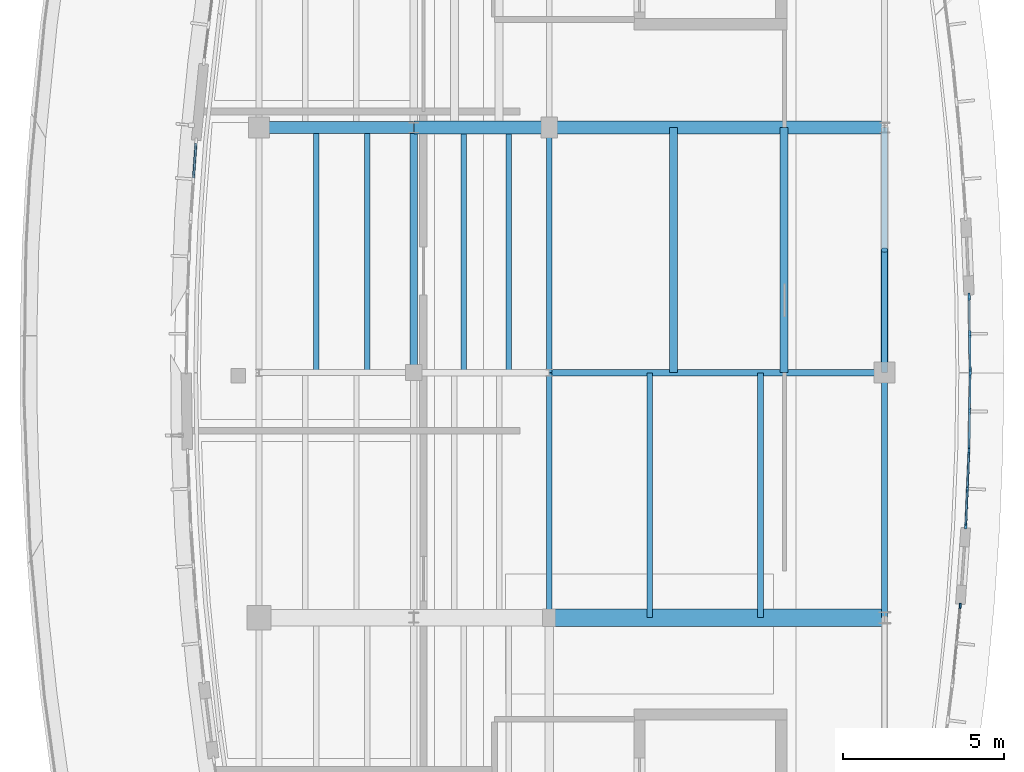
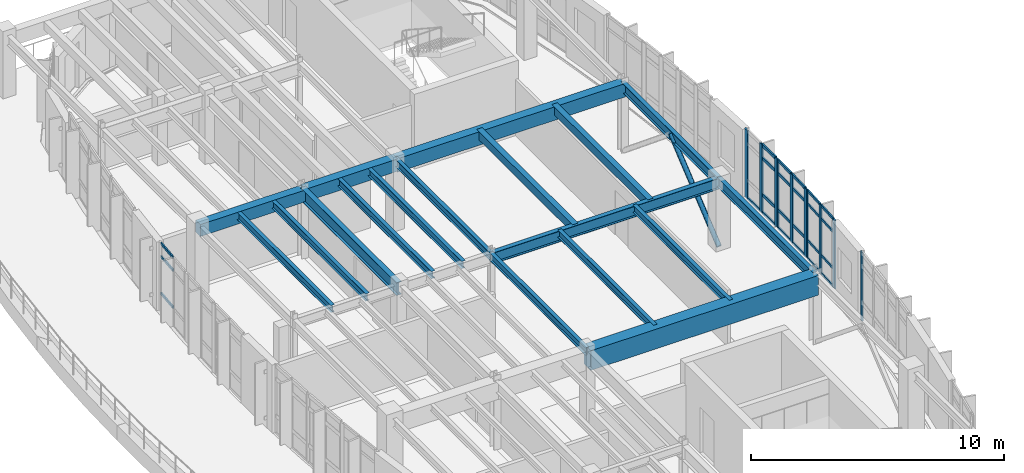
# One storey, part 8 of 20: 35 members, 18 beams, 5 elements without a shape of their own.
"""IFC4 building model written with IfcOpenShell, lengths in metres."""

import ifcopenshell
import ifcopenshell.guid

model = None  # the IFC model being written
_history = None  # IfcOwnerHistory: only IFC2X3 demands one
_inside = {}  # id of a spatial element -> (the spatial element, [elements in it])
_under = {}  # id of a project, library or spatial element -> (it, [spatial elements below it])
_declared = {}  # id of a project -> (the project, [libraries it declares])
_typed = {}  # id of a type object -> (the type object, [elements of that type])
_made_of = {}  # id of a material, layer set ... -> (it, [elements and type objects made of it])


def new_model(schema):
    """Start an empty IFC model of exactly this schema.

    Asked for "IFC4X3", IfcOpenShell would pick the latest addendum, in which some entities
    have other attributes; the version numbers below select the first issue.
    IFC2X3 requires an IfcOwnerHistory on every rooted entity: one is made here for all.
    """
    global model, _history
    if schema == "IFC4X3":
        model = ifcopenshell.file(schema_version=(4, 3, 0, 0))
    else:
        model = ifcopenshell.file(schema=schema)
    _inside.clear()
    _under.clear()
    _declared.clear()
    _typed.clear()
    _made_of.clear()
    _history = None
    if model.schema == "IFC2X3":
        org = make("IfcOrganization", Name="unknown")
        user = make(
            "IfcPersonAndOrganization",
            ThePerson=make("IfcPerson", FamilyName="unknown"),
            TheOrganization=org,
        )
        app = make(
            "IfcApplication",
            ApplicationDeveloper=org,
            Version="unknown",
            ApplicationFullName="unknown",
            ApplicationIdentifier="unknown",
        )
        _history = make(
            "IfcOwnerHistory",
            OwningUser=user,
            OwningApplication=app,
            ChangeAction="ADDED",
            CreationDate=0,
        )
    return model


def make(cls, **values):
    """One entity of the class cls with the attributes given. An attribute that is None is left unset."""
    return model.create_entity(
        cls, **{name: value for name, value in values.items() if value is not None}
    )


def rooted(cls, **values):
    """An entity with a GlobalId (a new one), such as an element, a storey or a relation."""
    return make(cls, GlobalId=ifcopenshell.guid.new(), OwnerHistory=_history, **values)


def si_unit(unit_type, name, prefix=None):
    """IfcSIUnit, for example si_unit("LENGTHUNIT", "METRE", prefix="MILLI")."""
    return make("IfcSIUnit", UnitType=unit_type, Prefix=prefix, Name=name)


def assignment(units):
    """IfcUnitAssignment: the units of a project."""
    return None if units is None else make("IfcUnitAssignment", Units=units)


def point(xyz):
    """IfcCartesianPoint."""
    return None if xyz is None else make("IfcCartesianPoint", Coordinates=xyz)


def direction(xyz):
    """IfcDirection."""
    return None if xyz is None else make("IfcDirection", DirectionRatios=xyz)


def frame(location, z_axis=None, x_axis=None):
    """IfcAxis2Placement3D, a coordinate frame: its origin and axes. An axis left out is left unset."""
    return make(
        "IfcAxis2Placement3D",
        Location=point(location),
        Axis=direction(z_axis),
        RefDirection=direction(x_axis),
    )


def frame_2d(location, x_axis=None):
    """IfcAxis2Placement2D, a coordinate frame in the plane: its origin and x axis."""
    return make(
        "IfcAxis2Placement2D", Location=point(location), RefDirection=direction(x_axis)
    )


def origin():
    """The frame at (0, 0, 0) with its axes left unset."""
    return frame((0.0, 0.0, 0.0))


def origin_2d():
    """The frame at (0, 0) in the plane with its x axis left unset."""
    return frame_2d((0.0, 0.0))


def place(relative_to, where):
    """IfcLocalPlacement: puts the frame where relative to a parent placement (None: the world)."""
    return make(
        "IfcLocalPlacement", PlacementRelTo=relative_to, RelativePlacement=where
    )


def context(
    kind, dimensions, precision=None, world=None, true_north=None, identifier=None
):
    """IfcGeometricRepresentationContext, for example the 3D "Model" context."""
    return make(
        "IfcGeometricRepresentationContext",
        ContextIdentifier=identifier,
        ContextType=kind,
        CoordinateSpaceDimension=dimensions,
        Precision=precision,
        WorldCoordinateSystem=world,
        TrueNorth=true_north,
    )


def subcontext(parent, identifier, kind, view, scale=None):
    """IfcGeometricRepresentationSubContext, for example "Body" below "Model"."""
    return make(
        "IfcGeometricRepresentationSubContext",
        ContextIdentifier=identifier,
        ContextType=kind,
        ParentContext=parent,
        TargetScale=scale,
        TargetView=view,
    )


def project(units=None, contexts=None):
    """IfcProject with its units and contexts."""
    return rooted(
        "IfcProject",
        Name="project",
        RepresentationContexts=contexts,
        UnitsInContext=assignment(units),
    )


def spatial(cls, under=None, at=None, **own):
    """A site, building, storey or space (cls), placed at a placement, below another one or the project."""
    s = rooted(cls, ObjectPlacement=at, **own)
    if under is not None:
        _under.setdefault(under.id(), (under, []))[1].append(s)
    return s


def profile(cls, at=None, kind="AREA", **sizes):
    """A parametric profile (cls). Its sizes go by their IFC names, for example OverallWidth=200.0."""
    return make(cls, ProfileType=kind, Position=at, **sizes)


def rectangle(**sizes):
    """IfcRectangleProfileDef."""
    return profile("IfcRectangleProfileDef", **sizes)


def hollow_circle(**sizes):
    """IfcCircleHollowProfileDef."""
    return profile("IfcCircleHollowProfileDef", **sizes)


def i_section(**sizes):
    """IfcIShapeProfileDef."""
    return profile("IfcIShapeProfileDef", **sizes)


def extrude(swept, where, along, depth):
    """IfcExtrudedAreaSolid: the profile swept, set in the frame where, extruded along a direction by depth."""
    return make(
        "IfcExtrudedAreaSolid",
        SweptArea=swept,
        Position=where,
        ExtrudedDirection=direction(along),
        Depth=depth,
    )


def shape(context_of_items, identifier, shape_type, items):
    """IfcShapeRepresentation: the items that make up one representation, for example the "Body"."""
    return make(
        "IfcShapeRepresentation",
        ContextOfItems=context_of_items,
        RepresentationIdentifier=identifier,
        RepresentationType=shape_type,
        Items=items,
    )


def material(Name=None, Category=None):
    """IfcMaterial."""
    return make("IfcMaterial", Name=Name, Category=Category)


def material_profile(
    of_material, cross_section, Name=None, Category=None, Priority=None
):
    """IfcMaterialProfile: a cross section and its material."""
    return make(
        "IfcMaterialProfile",
        Name=Name,
        Material=of_material,
        Profile=cross_section,
        Priority=Priority,
        Category=Category,
    )


def profile_set(profiles, Name=None, composite=None):
    """IfcMaterialProfileSet."""
    return make(
        "IfcMaterialProfileSet",
        Name=Name,
        MaterialProfiles=profiles,
        CompositeProfile=composite,
    )


def made_of(thing, what):
    """Note that an element or type object is made of a material, layer set ...; save() writes the relation."""
    if what is not None:
        _made_of.setdefault(what.id(), (what, []))[1].append(thing)
    return thing


def type_object(cls, material=None, **own):
    """A type object (cls), such as IfcWallType, which elements share."""
    return made_of(rooted(cls, **own), material)


def element(
    cls,
    number,
    at=None,
    inside=None,
    cuts=None,
    type_object=None,
    material=None,
    context=None,
    identifier="Body",
    shape_type=None,
    held_by="IfcProductDefinitionShape",
    body=None,
    shapes=None,
    **own,
):
    """One element of the class cls, such as IfcWall. Its Tag is "e" and its number.

    at: its placement. inside: the storey or other place that contains it. cuts: it is an
    opening in that element (IfcRelVoidsElement). A single representation is given by context,
    identifier, shape_type and body (its items); several are given by shapes. held_by: the class
    of the entity that holds the representations. save() writes the other relations.
    """
    e = rooted(cls, Tag="e%d" % number, ObjectPlacement=at, **own)
    if body is not None:
        shapes = [shape(context, identifier, shape_type, body)]
    if shapes is not None:
        e.Representation = make(held_by, Representations=shapes)
    if inside is not None:
        _inside.setdefault(inside.id(), (inside, []))[1].append(e)
    if cuts is not None:
        rooted(
            "IfcRelVoidsElement", RelatingBuildingElement=cuts, RelatedOpeningElement=e
        )
    if type_object is not None:
        _typed.setdefault(type_object.id(), (type_object, []))[1].append(e)
    return made_of(e, material)


def aggregate(whole, parts):
    """IfcRelAggregates: a whole, such as a stair, and the parts it consists of."""
    return rooted("IfcRelAggregates", RelatingObject=whole, RelatedObjects=parts)


def save(model, path):
    """Write the relations noted so far, then the file.

    IfcRelAggregates (storeys below a building ...), IfcRelContainedInSpatialStructure (elements
    in a storey), IfcRelDefinesByType, IfcRelAssociatesMaterial and IfcRelDeclares: one each for
    every whole, place, type object, material and project.
    """
    for whole, parts in _under.values():
        aggregate(whole, parts)
    for where, things in _inside.values():
        rooted(
            "IfcRelContainedInSpatialStructure",
            RelatedElements=things,
            RelatingStructure=where,
        )
    for kind, things in _typed.values():
        rooted("IfcRelDefinesByType", RelatedObjects=things, RelatingType=kind)
    for what, things in _made_of.values():
        rooted("IfcRelAssociatesMaterial", RelatedObjects=things, RelatingMaterial=what)
    for by, libraries in _declared.values():
        rooted("IfcRelDeclares", RelatingContext=by, RelatedDefinitions=libraries)
    model.write(path)


model = new_model("IFC4")

# Units and contexts
model_context = context("Model", 3, precision=1e-05, world=origin(), true_north=direction((0.0, 1.0)))
body_context = subcontext(model_context, "Body", "Model", "MODEL_VIEW")
ifc_project = project(units=[si_unit("LENGTHUNIT", "METRE"), si_unit("AREAUNIT", "SQUARE_METRE"), si_unit("VOLUMEUNIT", "CUBIC_METRE"), si_unit("PLANEANGLEUNIT", "RADIAN"), si_unit("MASSUNIT", "GRAM", prefix="KILO")], contexts=[model_context])

# Site, building, storey
site_placement = place(None, origin())
site = spatial("IfcSite", under=ifc_project, at=site_placement, CompositionType="ELEMENT")
building_placement = place(site_placement, origin())
building = spatial("IfcBuilding", under=site, at=building_placement, Name="Corveleigh Park Community Centre", CompositionType="ELEMENT")
storey_placement = place(building_placement, frame((0.0, 0.0, 16.199951171875)))
storey = spatial("IfcBuildingStorey", under=building, at=storey_placement, Name="L04", CompositionType="ELEMENT", Elevation=16.199951171875)

# Beams
ifc_material_1 = material(Name="Concrete C40/50", Category="concrete")
ifc_material_profile_1 = material_profile(ifc_material_1, rectangle(XDim=0.25, YDim=0.39990234375, at=origin_2d()), Name="RC-250x400", Category="concrete")
ifc_profile_set_1 = profile_set([ifc_material_profile_1], Name="Concrete C40/50")
beam_type_1 = type_object("IfcBeamType", Name="BM-RC-250x400", PredefinedType="JOIST", material=ifc_profile_set_1)
for number, where, z_axis, x_axis, name in (
    (1, (161.847900390625, 81.405029296875, 3.172119140625), (0.0, 1.0, 0.0), (-1.0, 0.0, 0.0), "Secondary floor joist"),
    (2, (165.280029296875, 81.405029296875, 3.172119140625), (0.0, 1.0, 0.0), (-1.0, 0.0, 0.0), "Secondary floor joist"),
):
    element("IfcBeam", number, at=place(storey_placement, frame(where, z_axis=z_axis, x_axis=x_axis)), inside=storey, type_object=beam_type_1, Name=name, PredefinedType="JOIST", context=body_context, shape_type="SweptSolid", body=[
        extrude(rectangle(XDim=0.25, YDim=0.39990234375, at=origin_2d()), origin(), (0.0, 0.0, 1.0), 7.590087890625),
    ])
ifc_material_profile_2 = material_profile(ifc_material_1, rectangle(XDim=0.375, YDim=0.574951171875, at=origin_2d()), Name="RC-375x575", Category="concrete")
ifc_profile_set_2 = profile_set([ifc_material_profile_2], Name="Concrete C40/50")
beam_type_2 = type_object("IfcBeamType", Name="BM-RC-375x575", PredefinedType="BEAM", material=ifc_profile_set_2)
beam_1_placement = place(storey_placement, frame((149.0048828125, 89.0, 3.049560546875), z_axis=(1.0, 0.0, 0.0), x_axis=(0.0, 1.0, 0.0)))
element("IfcBeam", 3, at=beam_1_placement, inside=storey, type_object=beam_type_2, Name="V4 Girder X", PredefinedType="BEAM", context=body_context, shape_type="SweptSolid", body=[
    extrude(rectangle(XDim=0.375, YDim=0.574951171875, at=origin_2d()), origin(), (0.0, 0.0, 1.0), 4.7900390625),
])
ifc_material_profile_3 = material_profile(ifc_material_1, rectangle(XDim=0.39990234375, YDim=0.60009765625, at=origin_2d()), Name="RC-400x600", Category="concrete")
ifc_profile_set_3 = profile_set([ifc_material_profile_3], Name="Concrete C40/50")
beam_type_3 = type_object("IfcBeamType", Name="BM-RC-400x600", PredefinedType="BEAM", material=ifc_profile_set_3)
beam_2_placement = place(storey_placement, frame((153.804931640625, 89.0, 3.072021484375), z_axis=(1.0, 0.0, 0.0), x_axis=(0.0, 1.0, 0.0)))
element("IfcBeam", 4, at=beam_2_placement, inside=storey, type_object=beam_type_3, Name="V4 Girder X", PredefinedType="BEAM", context=body_context, shape_type="SweptSolid", body=[
    extrude(rectangle(XDim=0.39990234375, YDim=0.60009765625, at=origin_2d()), origin(), (0.0, 0.0, 1.0), 4.190185546875),
])
ifc_material_profile_4 = material_profile(ifc_material_1, rectangle(XDim=0.39990234375, YDim=0.64990234375, at=origin_2d()), Name="RC-400x650", Category="concrete")
ifc_profile_set_4 = profile_set([ifc_material_profile_4], Name="Concrete C40/50")
beam_type_4 = type_object("IfcBeamType", Name="BM-RC-400x650", PredefinedType="BEAM", material=ifc_profile_set_4)
beam_3_placement = place(storey_placement, frame((158.0048828125, 89.0, 3.047119140625), z_axis=(1.0, 0.0, 0.0), x_axis=(0.0, 1.0, 0.0)))
element("IfcBeam", 5, at=beam_3_placement, inside=storey, type_object=beam_type_4, Name="V4 Girder X", PredefinedType="BEAM", context=body_context, shape_type="SweptSolid", body=[
    extrude(rectangle(XDim=0.39990234375, YDim=0.64990234375, at=origin_2d()), origin(), (0.0, 0.0, 1.0), 10.39013671875),
])
ifc_material_profile_5 = material_profile(ifc_material_1, rectangle(XDim=0.550048828125, YDim=0.949951171875, at=origin_2d()), Name="RC-550x950", Category="concrete")
ifc_profile_set_5 = profile_set([ifc_material_profile_5], Name="Concrete C40/50")
beam_type_5 = type_object("IfcBeamType", Name="BM-RC-550x950", PredefinedType="BEAM", material=ifc_profile_set_5)
beam_4_placement = place(storey_placement, frame((158.0048828125, 73.800048828125, 2.89697265625), z_axis=(1.0, 0.0, 0.0), x_axis=(0.0, 1.0, 0.0)))
element("IfcBeam", 6, at=beam_4_placement, inside=storey, type_object=beam_type_5, Name="V4 Girder X", PredefinedType="BEAM", context=body_context, shape_type="SweptSolid", body=[
    extrude(rectangle(XDim=0.550048828125, YDim=0.949951171875, at=origin_2d()), origin(), (0.0, 0.0, 1.0), 10.39013671875),
])
ifc_material_2 = material(Name="Steel S355", Category="steel")
ifc_material_profile_6 = material_profile(ifc_material_2, i_section(OverallWidth=0.171142578125, OverallDepth=0.351318359375, WebThickness=0.007080078125, FlangeThickness=0.009765625, at=origin_2d()), Name="UKB 356x171x45", Category="steel")
ifc_profile_set_6 = profile_set([ifc_material_profile_6], Name="Steel S355")
beam_type_6 = type_object("IfcBeamType", Name="BM-STL-UKB356x45", PredefinedType="JOIST", material=ifc_profile_set_6)
for number, where, z_axis, x_axis, name in (
    (7, (150.77587890625, 81.405029296875, 3.161376953125), (0.0, 1.0, 0.0), (-1.0, 0.0, 0.0), "Secondary floor joist"),
    (8, (152.360107421875, 81.405029296875, 3.161376953125), (0.0, 1.0, 0.0), (-1.0, 0.0, 0.0), "Secondary floor joist"),
):
    element("IfcBeam", number, at=place(storey_placement, frame(where, z_axis=z_axis, x_axis=x_axis)), inside=storey, type_object=beam_type_6, Name=name, PredefinedType="JOIST", context=body_context, shape_type="SweptSolid", body=[
        extrude(i_section(OverallWidth=0.171142578125, OverallDepth=0.351318359375, WebThickness=0.007080078125, FlangeThickness=0.009765625, at=origin_2d()), origin(), (0.0, 0.0, 1.0), 7.590087890625),
    ])
ifc_material_profile_7 = material_profile(ifc_material_2, i_section(OverallWidth=0.17138671875, OverallDepth=0.35498046875, WebThickness=0.00732421875, FlangeThickness=0.011474609375, at=origin_2d()), Name="UKB 356x171x51", Category="steel")
ifc_profile_set_7 = profile_set([ifc_material_profile_7], Name="Steel S355")
beam_type_7 = type_object("IfcBeamType", Name="BM-STL-UKB356x51", PredefinedType="JOIST", material=ifc_profile_set_7)
for number, where, z_axis, x_axis, name in (
    (9, (155.35400390625, 81.405029296875, 3.194580078125), (0.0, 1.0, 0.0), (-1.0, 0.0, 0.0), "Secondary floor joist"),
    (10, (156.739990234375, 81.405029296875, 3.194580078125), (0.0, 1.0, 0.0), (-1.0, 0.0, 0.0), "Secondary floor joist"),
    (11, (161.1201171875, 73.804931640625, 3.194580078125), (0.0, 1.0, 0.0), (-1.0, 0.0, 0.0), "Secondary floor joist"),
    (12, (164.552001953125, 73.804931640625, 3.194580078125), (0.0, 1.0, 0.0), (-1.0, 0.0, 0.0), "Secondary floor joist"),
):
    element("IfcBeam", number, at=place(storey_placement, frame(where, z_axis=z_axis, x_axis=x_axis)), inside=storey, type_object=beam_type_7, Name=name, PredefinedType="JOIST", context=body_context, shape_type="SweptSolid", body=[
        extrude(i_section(OverallWidth=0.17138671875, OverallDepth=0.35498046875, WebThickness=0.00732421875, FlangeThickness=0.011474609375, at=origin_2d()), origin(), (0.0, 0.0, 1.0), 7.590087890625),
    ])
ifc_material_profile_8 = material_profile(ifc_material_2, i_section(OverallWidth=0.172119140625, OverallDepth=0.35791015625, WebThickness=0.008056640625, FlangeThickness=0.012939453125, at=origin_2d()), Name="UKB 356x171x57", Category="steel")
ifc_profile_set_8 = profile_set([ifc_material_profile_8], Name="Steel S355")
beam_type_8 = type_object("IfcBeamType", Name="BM-STL-UKB356x57", PredefinedType="BEAM", material=ifc_profile_set_8)
beam_5_placement = place(storey_placement, frame((158.0, 73.804931640625, 3.193115234375), z_axis=(0.0, 1.0, 0.0), x_axis=(-1.0, 0.0, 0.0)))
element("IfcBeam", 13, at=beam_5_placement, inside=storey, type_object=beam_type_8, Name="V4 Girder Y", PredefinedType="BEAM", context=body_context, shape_type="SweptSolid", body=[
    extrude(i_section(OverallWidth=0.172119140625, OverallDepth=0.35791015625, WebThickness=0.008056640625, FlangeThickness=0.012939453125, at=origin_2d()), origin(), (0.0, 0.0, 1.0), 7.590087890625),
])
ifc_material_profile_9 = material_profile(ifc_material_2, i_section(OverallWidth=0.173095703125, OverallDepth=0.36328125, WebThickness=0.009033203125, FlangeThickness=0.015625, at=origin_2d()), Name="UKB 356x171x67", Category="steel")
ifc_profile_set_9 = profile_set([ifc_material_profile_9], Name="Steel S355")
beam_type_9 = type_object("IfcBeamType", Name="BM-STL-UKB356x67", PredefinedType="BEAM", material=ifc_profile_set_9)
beam_6_placement = place(storey_placement, frame((158.0, 81.405029296875, 3.1904296875), z_axis=(0.0, 1.0, 0.0), x_axis=(-1.0, 0.0, 0.0)))
element("IfcBeam", 14, at=beam_6_placement, inside=storey, type_object=beam_type_9, Name="V4 Girder Y", PredefinedType="BEAM", context=body_context, shape_type="SweptSolid", body=[
    extrude(i_section(OverallWidth=0.173095703125, OverallDepth=0.36328125, WebThickness=0.009033203125, FlangeThickness=0.015625, at=origin_2d()), origin(), (0.0, 0.0, 1.0), 7.590087890625),
])
ifc_material_profile_10 = material_profile(ifc_material_2, i_section(OverallWidth=0.1904296875, OverallDepth=0.45703125, WebThickness=0.009033203125, FlangeThickness=0.014404296875, at=origin_2d()), Name="UKB 457x191x74", Category="steel")
ifc_profile_set_10 = profile_set([ifc_material_profile_10], Name="Steel S355")
beam_type_10 = type_object("IfcBeamType", Name="BM-STL-UKB457x74", PredefinedType="BEAM", material=ifc_profile_set_10)
beam_7_placement = place(storey_placement, frame((168.39990234375, 73.804931640625, 3.1435546875), z_axis=(0.0, 1.0, 0.0), x_axis=(-1.0, 0.0, 0.0)))
element("IfcBeam", 15, at=beam_7_placement, inside=storey, type_object=beam_type_10, Name="V4 Girder Y", PredefinedType="BEAM", context=body_context, shape_type="SweptSolid", body=[
    extrude(i_section(OverallWidth=0.1904296875, OverallDepth=0.45703125, WebThickness=0.009033203125, FlangeThickness=0.014404296875, at=origin_2d()), origin(), (0.0, 0.0, 1.0), 7.590087890625),
])
ifc_material_profile_11 = material_profile(ifc_material_2, i_section(OverallWidth=0.19140625, OverallDepth=0.4599609375, WebThickness=0.010009765625, FlangeThickness=0.01611328125, at=origin_2d()), Name="UKB 457x191x82", Category="steel")
ifc_profile_set_11 = profile_set([ifc_material_profile_11], Name="Steel S355")
beam_type_11 = type_object("IfcBeamType", Name="BM-STL-UKB457x82", PredefinedType="BEAM", material=ifc_profile_set_11)
beam_8_placement = place(storey_placement, frame((168.39990234375, 81.405029296875, 3.14208984375), z_axis=(0.0, 1.0, 0.0), x_axis=(-1.0, 0.0, 0.0)))
element("IfcBeam", 16, at=beam_8_placement, inside=storey, type_object=beam_type_11, Name="V4 Girder Y", PredefinedType="BEAM", context=body_context, shape_type="SweptSolid", body=[
    extrude(i_section(OverallWidth=0.19140625, OverallDepth=0.4599609375, WebThickness=0.010009765625, FlangeThickness=0.01611328125, at=origin_2d()), origin(), (0.0, 0.0, 1.0), 7.590087890625),
])
ifc_material_profile_12 = material_profile(ifc_material_2, i_section(OverallWidth=0.2099609375, OverallDepth=0.53662109375, WebThickness=0.0107421875, FlangeThickness=0.017333984375, at=origin_2d()), Name="UKB 533x210x101", Category="steel")
ifc_profile_set_12 = profile_set([ifc_material_profile_12], Name="Steel S355")
beam_type_12 = type_object("IfcBeamType", Name="BM-STL-UKB533x101", PredefinedType="BEAM", material=ifc_profile_set_12)
beam_9_placement = place(storey_placement, frame((158.0048828125, 81.39990234375, 3.103759765625), z_axis=(1.0, 0.0, 0.0), x_axis=(0.0, 1.0, 0.0)))
element("IfcBeam", 17, at=beam_9_placement, inside=storey, type_object=beam_type_12, Name="V4 Girder X", PredefinedType="BEAM", context=body_context, shape_type="SweptSolid", body=[
    extrude(i_section(OverallWidth=0.2099609375, OverallDepth=0.53662109375, WebThickness=0.0107421875, FlangeThickness=0.017333984375, at=origin_2d()), origin(), (0.0, 0.0, 1.0), 10.39013671875),
])
ifc_material_profile_13 = material_profile(ifc_material_2, i_section(OverallWidth=0.228271484375, OverallDepth=0.607666015625, WebThickness=0.010986328125, FlangeThickness=0.017333984375, at=origin_2d()), Name="UKB 610x229x113", Category="steel")
ifc_profile_set_13 = profile_set([ifc_material_profile_13], Name="Steel S355")
beam_type_13 = type_object("IfcBeamType", Name="BM-STL-UKB610x113", PredefinedType="BEAM", material=ifc_profile_set_13)
beam_10_placement = place(storey_placement, frame((153.800048828125, 81.405029296875, 3.068359375), z_axis=(0.0, 1.0, 0.0), x_axis=(-1.0, 0.0, 0.0)))
element("IfcBeam", 18, at=beam_10_placement, inside=storey, type_object=beam_type_13, Name="V4 Girder Y", PredefinedType="BEAM", context=body_context, shape_type="SweptSolid", body=[
    extrude(i_section(OverallWidth=0.228271484375, OverallDepth=0.607666015625, WebThickness=0.010986328125, FlangeThickness=0.017333984375, at=origin_2d()), origin(), (0.0, 0.0, 1.0), 7.590087890625),
])

# Curtain wall, member
ifc_material_3 = material(Name="Anodised aluminium 6063-T6", Category="aluminium")
curtain_wall_type = type_object("IfcCurtainWallType", Name="CW-SYS-V4-L03", PredefinedType="NOTDEFINED", material=ifc_material_3)
curtain_wall_1_placement = place(storey_placement, origin())
curtain_wall_1 = element("IfcCurtainWall", 19, at=curtain_wall_1_placement, inside=storey, type_object=curtain_wall_type, Name="V4 L04 Curtain Wall 445", PredefinedType="NOTDEFINED")
ifc_material_profile_14 = material_profile(ifc_material_3, rectangle(XDim=0.06005859375, YDim=0.159912109375, at=origin_2d()), Name="ALU-M60x160", Category="aluminium")
ifc_profile_set_14 = profile_set([ifc_material_profile_14], Name="Anodised aluminium 6063-T6")
member_type_1 = type_object("IfcMemberType", Name="CWM-60x160", PredefinedType="MULLION", material=ifc_profile_set_14)
member_1_placement = place(storey_placement, frame((170.744140625, 74.166259765625, 0.0), z_axis=(0.0, 0.0, 1.0), x_axis=(0.995169228615, -0.098174367416, 0.0)))
member_1 = element("IfcMember", 20, at=member_1_placement, type_object=member_type_1, Name="CW09 mullion 1", PredefinedType="MULLION", context=body_context, shape_type="SweptSolid", body=[
    extrude(rectangle(XDim=0.06005859375, YDim=0.159912109375, at=origin_2d()), origin(), (0.0, 0.0, 1.0), 3.31201171875),
])
aggregate(curtain_wall_1, [member_1])

# Curtain wall, members
curtain_wall_2_placement = place(storey_placement, origin())
curtain_wall_2 = element("IfcCurtainWall", 21, at=curtain_wall_2_placement, inside=storey, type_object=curtain_wall_type, Name="V4 L04 Curtain Wall 446", PredefinedType="NOTDEFINED")
ifc_material_profile_15 = material_profile(ifc_material_3, rectangle(XDim=0.06494140625, YDim=0.179931640625, at=origin_2d()), Name="ALU-M65x180", Category="aluminium")
ifc_profile_set_15 = profile_set([ifc_material_profile_15], Name="Anodised aluminium 6063-T6")
member_type_2 = type_object("IfcMemberType", Name="CWM-65x180", PredefinedType="MULLION", material=ifc_profile_set_15)
member_2_placement = place(storey_placement, frame((171.017578125, 78.95751953125, 0.0), z_axis=(0.0, 0.0, 1.0), x_axis=(0.99908366495, -0.042799888207, 0.0)))
member_2 = element("IfcMember", 22, at=member_2_placement, type_object=member_type_2, Name="CW09 mullion 1", PredefinedType="MULLION", context=body_context, shape_type="SweptSolid", body=[
    extrude(rectangle(XDim=0.06494140625, YDim=0.179931640625, at=origin_2d()), origin(), (0.0, 0.0, 1.0), 3.31201171875),
])
member_3_placement = place(storey_placement, frame((170.968017578125, 77.799560546875, 0.0), z_axis=(0.0, 0.0, 1.0), x_axis=(0.99908366495, -0.042799888207, 0.0)))
member_3 = element("IfcMember", 23, at=member_3_placement, type_object=member_type_2, Name="CW09 mullion 2", PredefinedType="MULLION", context=body_context, shape_type="SweptSolid", body=[
    extrude(rectangle(XDim=0.06494140625, YDim=0.179931640625, at=origin_2d()), origin(), (0.0, 0.0, 1.0), 3.31201171875),
])
member_4_placement = place(storey_placement, frame((170.91845703125, 76.641357421875, 0.0), z_axis=(0.0, 0.0, 1.0), x_axis=(0.99908366495, -0.042799888207, 0.0)))
member_4 = element("IfcMember", 24, at=member_4_placement, type_object=member_type_2, Name="CW09 mullion 3", PredefinedType="MULLION", context=body_context, shape_type="SweptSolid", body=[
    extrude(rectangle(XDim=0.06494140625, YDim=0.179931640625, at=origin_2d()), origin(), (0.0, 0.0, 1.0), 3.31201171875),
])

curtain_wall_3_placement = place(storey_placement, origin())
curtain_wall_3 = element("IfcCurtainWall", 25, at=curtain_wall_3_placement, inside=storey, type_object=curtain_wall_type, Name="V4 L04 Curtain Wall 447", PredefinedType="NOTDEFINED")
ifc_material_profile_16 = material_profile(ifc_material_3, rectangle(XDim=0.070068359375, YDim=0.199951171875, at=origin_2d()), Name="ALU-M70x200", Category="aluminium")
ifc_profile_set_16 = profile_set([ifc_material_profile_16], Name="Anodised aluminium 6063-T6")
member_type_3 = type_object("IfcMemberType", Name="CWM-70x200", PredefinedType="MULLION", material=ifc_profile_set_16)
member_5_placement = place(storey_placement, frame((171.052490234375, 81.35595703125, 0.0), z_axis=(0.0, 0.0, 1.0), x_axis=(0.999898231481, -0.01426627775, 0.0)))
member_5 = element("IfcMember", 26, at=member_5_placement, type_object=member_type_3, Name="CW09 mullion 1", PredefinedType="MULLION", context=body_context, shape_type="SweptSolid", body=[
    extrude(rectangle(XDim=0.070068359375, YDim=0.199951171875, at=origin_2d()), origin(), (0.0, 0.0, 1.0), 3.31201171875),
])
member_6_placement = place(storey_placement, frame((171.035888671875, 80.199462890625, 0.0), z_axis=(0.0, 0.0, 1.0), x_axis=(0.999898231481, -0.01426627775, 0.0)))
member_6 = element("IfcMember", 27, at=member_6_placement, type_object=member_type_3, Name="CW09 mullion 2", PredefinedType="MULLION", context=body_context, shape_type="SweptSolid", body=[
    extrude(rectangle(XDim=0.070068359375, YDim=0.199951171875, at=origin_2d()), origin(), (0.0, 0.0, 1.0), 3.31201171875),
])
member_7_placement = place(storey_placement, frame((171.01953125, 79.04296875, 0.0), z_axis=(0.0, 0.0, 1.0), x_axis=(0.999898231481, -0.01426627775, 0.0)))
member_7 = element("IfcMember", 28, at=member_7_placement, type_object=member_type_3, Name="CW09 mullion 3", PredefinedType="MULLION", context=body_context, shape_type="SweptSolid", body=[
    extrude(rectangle(XDim=0.070068359375, YDim=0.199951171875, at=origin_2d()), origin(), (0.0, 0.0, 1.0), 3.31201171875),
])

curtain_wall_4_placement = place(storey_placement, origin())
curtain_wall_4 = element("IfcCurtainWall", 29, at=curtain_wall_4_placement, inside=storey, type_object=curtain_wall_type, Name="V4 L04 Curtain Wall 448", PredefinedType="NOTDEFINED")
ifc_material_profile_17 = material_profile(ifc_material_3, rectangle(XDim=0.074951171875, YDim=0.219970703125, at=origin_2d()), Name="ALU-M75x220", Category="aluminium")
ifc_profile_set_17 = profile_set([ifc_material_profile_17], Name="Anodised aluminium 6063-T6")
member_type_4 = type_object("IfcMemberType", Name="CWM-75x220", PredefinedType="MULLION", material=ifc_profile_set_17)
member_8_placement = place(storey_placement, frame((171.01953125, 83.75439453125, 0.0), z_axis=(0.0, 0.0, 1.0), x_axis=(0.999898231481, 0.01426627775, 0.0)))
member_8 = element("IfcMember", 30, at=member_8_placement, type_object=member_type_4, Name="CW09 mullion 1", PredefinedType="MULLION", context=body_context, shape_type="SweptSolid", body=[
    extrude(rectangle(XDim=0.074951171875, YDim=0.219970703125, at=origin_2d()), origin(), (0.0, 0.0, 1.0), 3.31201171875),
])
member_9_placement = place(storey_placement, frame((171.035888671875, 82.6005859375, 0.0), z_axis=(0.0, 0.0, 1.0), x_axis=(0.999898231481, 0.01426627775, 0.0)))
member_9 = element("IfcMember", 31, at=member_9_placement, type_object=member_type_4, Name="CW09 mullion 2", PredefinedType="MULLION", context=body_context, shape_type="SweptSolid", body=[
    extrude(rectangle(XDim=0.074951171875, YDim=0.219970703125, at=origin_2d()), origin(), (0.0, 0.0, 1.0), 3.31201171875),
])
member_10_placement = place(storey_placement, frame((171.052490234375, 81.446533203125, 0.0), z_axis=(0.0, 0.0, 1.0), x_axis=(0.999898231481, 0.01426627775, 0.0)))
member_10 = element("IfcMember", 32, at=member_10_placement, type_object=member_type_4, Name="CW09 mullion 3", PredefinedType="MULLION", context=body_context, shape_type="SweptSolid", body=[
    extrude(rectangle(XDim=0.074951171875, YDim=0.219970703125, at=origin_2d()), origin(), (0.0, 0.0, 1.0), 3.31201171875),
])

# Member
ifc_material_profile_18 = material_profile(ifc_material_3, rectangle(XDim=0.06005859375, YDim=0.1201171875, at=origin_2d()), Name="ALU-T60x120", Category="aluminium")
ifc_profile_set_18 = profile_set([ifc_material_profile_18], Name="Anodised aluminium 6063-T6")
member_type_5 = type_object("IfcMemberType", Name="CWT-60x120", PredefinedType="USERDEFINED", material=ifc_profile_set_18)
member_11_placement = place(storey_placement, frame((171.01611328125, 78.925048828125, 0.030029296875), z_axis=(-0.042623725362, -0.999091196056, 0.0), x_axis=(0.999091196056, -0.042623725362, 0.0)))
member_11 = element("IfcMember", 33, at=member_11_placement, type_object=member_type_5, Name="CW09 transom 1.1", ObjectType="TRANSOM", PredefinedType="USERDEFINED", context=body_context, shape_type="SweptSolid", body=[
    extrude(rectangle(XDim=0.06005859375, YDim=0.1201171875, at=origin_2d()), origin(), (0.0, 0.0, 1.0), 1.093994140625),
])

member_12_placement = place(storey_placement, frame((171.01611328125, 78.925048828125, 0.900146484375), z_axis=(-0.042623725362, -0.999091196056, 0.0), x_axis=(0.999091196056, -0.042623725362, 0.0)))
member_12 = element("IfcMember", 34, at=member_12_placement, type_object=member_type_5, Name="CW09 transom 1.2", ObjectType="TRANSOM", PredefinedType="USERDEFINED", context=body_context, shape_type="SweptSolid", body=[
    extrude(rectangle(XDim=0.06005859375, YDim=0.1201171875, at=origin_2d()), origin(), (0.0, 0.0, 1.0), 1.093994140625),
])

member_13_placement = place(storey_placement, frame((171.01611328125, 78.925048828125, 2.662109375), z_axis=(-0.042623725362, -0.999091196056, 0.0), x_axis=(0.999091196056, -0.042623725362, 0.0)))
member_13 = element("IfcMember", 35, at=member_13_placement, type_object=member_type_5, Name="CW09 transom 1.3", ObjectType="TRANSOM", PredefinedType="USERDEFINED", context=body_context, shape_type="SweptSolid", body=[
    extrude(rectangle(XDim=0.06005859375, YDim=0.1201171875, at=origin_2d()), origin(), (0.0, 0.0, 1.0), 1.093994140625),
])

member_14_placement = place(storey_placement, frame((171.01611328125, 78.925048828125, 3.281982421875), z_axis=(-0.042623725362, -0.999091196056, 0.0), x_axis=(0.999091196056, -0.042623725362, 0.0)))
member_14 = element("IfcMember", 36, at=member_14_placement, type_object=member_type_5, Name="CW09 transom 1.4", ObjectType="TRANSOM", PredefinedType="USERDEFINED", context=body_context, shape_type="SweptSolid", body=[
    extrude(rectangle(XDim=0.06005859375, YDim=0.1201171875, at=origin_2d()), origin(), (0.0, 0.0, 1.0), 1.093994140625),
])

member_15_placement = place(storey_placement, frame((170.966552734375, 77.76708984375, 0.030029296875), z_axis=(-0.042836926952, -0.999082077554, 0.0), x_axis=(0.999082077554, -0.042836926952, 0.0)))
member_15 = element("IfcMember", 37, at=member_15_placement, type_object=member_type_5, Name="CW09 transom 2.1", ObjectType="TRANSOM", PredefinedType="USERDEFINED", context=body_context, shape_type="SweptSolid", body=[
    extrude(rectangle(XDim=0.06005859375, YDim=0.1201171875, at=origin_2d()), origin(), (0.0, 0.0, 1.0), 1.09423828125),
])

member_16_placement = place(storey_placement, frame((170.966552734375, 77.76708984375, 0.900146484375), z_axis=(-0.042836926952, -0.999082077554, 0.0), x_axis=(0.999082077554, -0.042836926952, 0.0)))
member_16 = element("IfcMember", 38, at=member_16_placement, type_object=member_type_5, Name="CW09 transom 2.2", ObjectType="TRANSOM", PredefinedType="USERDEFINED", context=body_context, shape_type="SweptSolid", body=[
    extrude(rectangle(XDim=0.06005859375, YDim=0.1201171875, at=origin_2d()), origin(), (0.0, 0.0, 1.0), 1.09423828125),
])

member_17_placement = place(storey_placement, frame((170.966552734375, 77.76708984375, 2.662109375), z_axis=(-0.042836926952, -0.999082077554, 0.0), x_axis=(0.999082077554, -0.042836926952, 0.0)))
member_17 = element("IfcMember", 39, at=member_17_placement, type_object=member_type_5, Name="CW09 transom 2.3", ObjectType="TRANSOM", PredefinedType="USERDEFINED", context=body_context, shape_type="SweptSolid", body=[
    extrude(rectangle(XDim=0.06005859375, YDim=0.1201171875, at=origin_2d()), origin(), (0.0, 0.0, 1.0), 1.09423828125),
])

member_18_placement = place(storey_placement, frame((170.966552734375, 77.76708984375, 3.281982421875), z_axis=(-0.042836926952, -0.999082077554, 0.0), x_axis=(0.999082077554, -0.042836926952, 0.0)))
member_18 = element("IfcMember", 40, at=member_18_placement, type_object=member_type_5, Name="CW09 transom 2.4", ObjectType="TRANSOM", PredefinedType="USERDEFINED", context=body_context, shape_type="SweptSolid", body=[
    extrude(rectangle(XDim=0.06005859375, YDim=0.1201171875, at=origin_2d()), origin(), (0.0, 0.0, 1.0), 1.09423828125),
])

aggregate(curtain_wall_2, [member_2, member_3, member_4, member_11, member_12, member_13, member_14, member_15, member_16, member_17, member_18])

# Curtain wall, members
curtain_wall_5_placement = place(storey_placement, origin())
curtain_wall_5 = element("IfcCurtainWall", 41, at=curtain_wall_5_placement, inside=storey, type_object=curtain_wall_type, Name="V4 L04 Curtain Wall 461", PredefinedType="NOTDEFINED")
member_19_placement = place(storey_placement, frame((146.97021484375, 87.4375, 0.900146484375), z_axis=(0.070194258391, 0.997533340841, 0.0), x_axis=(-0.997533340841, 0.070194258391, 0.0)))
member_19 = element("IfcMember", 42, at=member_19_placement, type_object=member_type_5, Name="CW09 transom 2.2", ObjectType="TRANSOM", PredefinedType="USERDEFINED", context=body_context, shape_type="SweptSolid", body=[
    extrude(rectangle(XDim=0.06005859375, YDim=0.1201171875, at=origin_2d()), origin(), (0.0, 0.0, 1.0), 1.0712890625),
])
member_20_placement = place(storey_placement, frame((146.97021484375, 87.4375, 2.68701171875), z_axis=(0.070194258391, 0.997533340841, 0.0), x_axis=(-0.997533340841, 0.070194258391, 0.0)))
member_20 = element("IfcMember", 43, at=member_20_placement, type_object=member_type_5, Name="CW09 transom 2.3", ObjectType="TRANSOM", PredefinedType="USERDEFINED", context=body_context, shape_type="SweptSolid", body=[
    extrude(rectangle(XDim=0.06005859375, YDim=0.1201171875, at=origin_2d()), origin(), (0.0, 0.0, 1.0), 1.0712890625),
])
member_21_placement = place(storey_placement, frame((146.97021484375, 87.4375, 3.30712890625), z_axis=(0.070194258391, 0.997533340841, 0.0), x_axis=(-0.997533340841, 0.070194258391, 0.0)))
member_21 = element("IfcMember", 44, at=member_21_placement, type_object=member_type_5, Name="CW09 transom 2.4", ObjectType="TRANSOM", PredefinedType="USERDEFINED", context=body_context, shape_type="SweptSolid", body=[
    extrude(rectangle(XDim=0.06005859375, YDim=0.1201171875, at=origin_2d()), origin(), (0.0, 0.0, 1.0), 1.0712890625),
])
aggregate(curtain_wall_5, [member_19, member_20, member_21])

# Member
ifc_material_profile_19 = material_profile(ifc_material_3, rectangle(XDim=0.06494140625, YDim=0.139892578125, at=origin_2d()), Name="ALU-T65x140", Category="aluminium")
ifc_profile_set_19 = profile_set([ifc_material_profile_19], Name="Anodised aluminium 6063-T6")
member_type_6 = type_object("IfcMemberType", Name="CWT-65x140", PredefinedType="USERDEFINED", material=ifc_profile_set_19)
member_22_placement = place(storey_placement, frame((171.052001953125, 81.321044921875, 0.032470703125), z_axis=(-0.014152705069, -0.999899845454, 0.0), x_axis=(0.999899845454, -0.014152705069, 0.0)))
member_22 = element("IfcMember", 45, at=member_22_placement, type_object=member_type_6, Name="CW09 transom 1.1", ObjectType="TRANSOM", PredefinedType="USERDEFINED", context=body_context, shape_type="SweptSolid", body=[
    extrude(rectangle(XDim=0.06494140625, YDim=0.139892578125, at=origin_2d()), origin(), (0.0, 0.0, 1.0), 1.086669921875),
])

member_23_placement = place(storey_placement, frame((171.052001953125, 81.321044921875, 0.900146484375), z_axis=(-0.014152705069, -0.999899845454, 0.0), x_axis=(0.999899845454, -0.014152705069, 0.0)))
member_23 = element("IfcMember", 46, at=member_23_placement, type_object=member_type_6, Name="CW09 transom 1.2", ObjectType="TRANSOM", PredefinedType="USERDEFINED", context=body_context, shape_type="SweptSolid", body=[
    extrude(rectangle(XDim=0.06494140625, YDim=0.139892578125, at=origin_2d()), origin(), (0.0, 0.0, 1.0), 1.086669921875),
])

member_24_placement = place(storey_placement, frame((171.052001953125, 81.321044921875, 2.662109375), z_axis=(-0.014152705069, -0.999899845454, 0.0), x_axis=(0.999899845454, -0.014152705069, 0.0)))
member_24 = element("IfcMember", 47, at=member_24_placement, type_object=member_type_6, Name="CW09 transom 1.3", ObjectType="TRANSOM", PredefinedType="USERDEFINED", context=body_context, shape_type="SweptSolid", body=[
    extrude(rectangle(XDim=0.06494140625, YDim=0.139892578125, at=origin_2d()), origin(), (0.0, 0.0, 1.0), 1.086669921875),
])

member_25_placement = place(storey_placement, frame((171.052001953125, 81.321044921875, 3.279541015625), z_axis=(-0.014152705069, -0.999899845454, 0.0), x_axis=(0.999899845454, -0.014152705069, 0.0)))
member_25 = element("IfcMember", 48, at=member_25_placement, type_object=member_type_6, Name="CW09 transom 1.4", ObjectType="TRANSOM", PredefinedType="USERDEFINED", context=body_context, shape_type="SweptSolid", body=[
    extrude(rectangle(XDim=0.06494140625, YDim=0.139892578125, at=origin_2d()), origin(), (0.0, 0.0, 1.0), 1.086669921875),
])

member_26_placement = place(storey_placement, frame((171.035400390625, 80.16455078125, 0.032470703125), z_axis=(-0.014152705069, -0.999899845454, 0.0), x_axis=(0.999899845454, -0.014152705069, 0.0)))
member_26 = element("IfcMember", 49, at=member_26_placement, type_object=member_type_6, Name="CW09 transom 2.1", ObjectType="TRANSOM", PredefinedType="USERDEFINED", context=body_context, shape_type="SweptSolid", body=[
    extrude(rectangle(XDim=0.06494140625, YDim=0.139892578125, at=origin_2d()), origin(), (0.0, 0.0, 1.0), 1.086669921875),
])

member_27_placement = place(storey_placement, frame((171.035400390625, 80.16455078125, 0.900146484375), z_axis=(-0.014152705069, -0.999899845454, 0.0), x_axis=(0.999899845454, -0.014152705069, 0.0)))
member_27 = element("IfcMember", 50, at=member_27_placement, type_object=member_type_6, Name="CW09 transom 2.2", ObjectType="TRANSOM", PredefinedType="USERDEFINED", context=body_context, shape_type="SweptSolid", body=[
    extrude(rectangle(XDim=0.06494140625, YDim=0.139892578125, at=origin_2d()), origin(), (0.0, 0.0, 1.0), 1.086669921875),
])

member_28_placement = place(storey_placement, frame((171.035400390625, 80.16455078125, 2.662109375), z_axis=(-0.014152705069, -0.999899845454, 0.0), x_axis=(0.999899845454, -0.014152705069, 0.0)))
member_28 = element("IfcMember", 51, at=member_28_placement, type_object=member_type_6, Name="CW09 transom 2.3", ObjectType="TRANSOM", PredefinedType="USERDEFINED", context=body_context, shape_type="SweptSolid", body=[
    extrude(rectangle(XDim=0.06494140625, YDim=0.139892578125, at=origin_2d()), origin(), (0.0, 0.0, 1.0), 1.086669921875),
])

member_29_placement = place(storey_placement, frame((171.035400390625, 80.16455078125, 3.279541015625), z_axis=(-0.014152705069, -0.999899845454, 0.0), x_axis=(0.999899845454, -0.014152705069, 0.0)))
member_29 = element("IfcMember", 52, at=member_29_placement, type_object=member_type_6, Name="CW09 transom 2.4", ObjectType="TRANSOM", PredefinedType="USERDEFINED", context=body_context, shape_type="SweptSolid", body=[
    extrude(rectangle(XDim=0.06494140625, YDim=0.139892578125, at=origin_2d()), origin(), (0.0, 0.0, 1.0), 1.086669921875),
])

aggregate(curtain_wall_3, [member_5, member_6, member_7, member_22, member_23, member_24, member_25, member_26, member_27, member_28, member_29])

ifc_material_profile_20 = material_profile(ifc_material_3, rectangle(XDim=0.070068359375, YDim=0.155029296875, at=origin_2d()), Name="ALU-T70x155", Category="aluminium")
ifc_profile_set_20 = profile_set([ifc_material_profile_20], Name="Anodised aluminium 6063-T6")
member_type_7 = type_object("IfcMemberType", Name="CWT-70x155", PredefinedType="USERDEFINED", material=ifc_profile_set_20)
member_30_placement = place(storey_placement, frame((171.02001953125, 83.717041015625, 0.03515625), z_axis=(0.014251946031, -0.99989843586, 0.0), x_axis=(0.99989843586, 0.014251946031, 0.0)))
member_30 = element("IfcMember", 53, at=member_30_placement, type_object=member_type_7, Name="CW09 transom 1.1", ObjectType="TRANSOM", PredefinedType="USERDEFINED", context=body_context, shape_type="SweptSolid", body=[
    extrude(rectangle(XDim=0.070068359375, YDim=0.155029296875, at=origin_2d()), origin(), (0.0, 0.0, 1.0), 1.0791015625),
])

member_31_placement = place(storey_placement, frame((171.03662109375, 82.56298828125, 0.03515625), z_axis=(0.014251946031, -0.99989843586, 0.0), x_axis=(0.99989843586, 0.014251946031, 0.0)))
member_31 = element("IfcMember", 54, at=member_31_placement, type_object=member_type_7, Name="CW09 transom 2.1", ObjectType="TRANSOM", PredefinedType="USERDEFINED", context=body_context, shape_type="SweptSolid", body=[
    extrude(rectangle(XDim=0.070068359375, YDim=0.155029296875, at=origin_2d()), origin(), (0.0, 0.0, 1.0), 1.0791015625),
])

member_32_placement = place(storey_placement, frame((171.03662109375, 82.56298828125, 0.900146484375), z_axis=(0.014251946031, -0.99989843586, 0.0), x_axis=(0.99989843586, 0.014251946031, 0.0)))
member_32 = element("IfcMember", 55, at=member_32_placement, type_object=member_type_7, Name="CW09 transom 2.2", ObjectType="TRANSOM", PredefinedType="USERDEFINED", context=body_context, shape_type="SweptSolid", body=[
    extrude(rectangle(XDim=0.070068359375, YDim=0.155029296875, at=origin_2d()), origin(), (0.0, 0.0, 1.0), 1.0791015625),
])

member_33_placement = place(storey_placement, frame((171.03662109375, 82.56298828125, 2.662109375), z_axis=(0.014251946031, -0.99989843586, 0.0), x_axis=(0.99989843586, 0.014251946031, 0.0)))
member_33 = element("IfcMember", 56, at=member_33_placement, type_object=member_type_7, Name="CW09 transom 2.3", ObjectType="TRANSOM", PredefinedType="USERDEFINED", context=body_context, shape_type="SweptSolid", body=[
    extrude(rectangle(XDim=0.070068359375, YDim=0.155029296875, at=origin_2d()), origin(), (0.0, 0.0, 1.0), 1.0791015625),
])

member_34_placement = place(storey_placement, frame((171.03662109375, 82.56298828125, 3.277099609375), z_axis=(0.014251946031, -0.99989843586, 0.0), x_axis=(0.99989843586, 0.014251946031, 0.0)))
member_34 = element("IfcMember", 57, at=member_34_placement, type_object=member_type_7, Name="CW09 transom 2.4", ObjectType="TRANSOM", PredefinedType="USERDEFINED", context=body_context, shape_type="SweptSolid", body=[
    extrude(rectangle(XDim=0.070068359375, YDim=0.155029296875, at=origin_2d()), origin(), (0.0, 0.0, 1.0), 1.0791015625),
])

aggregate(curtain_wall_4, [member_8, member_9, member_10, member_30, member_31, member_32, member_33, member_34])

ifc_material_profile_21 = material_profile(ifc_material_2, hollow_circle(Radius=0.109619140625, WallThickness=0.010009765625, at=origin_2d()), Name="CHS 219.1x10.0", Category="steel")
ifc_profile_set_21 = profile_set([ifc_material_profile_21], Name="Steel S355")
member_type_8 = type_object("IfcMemberType", Name="MEM-BRC-CHS219", PredefinedType="BRACE", material=ifc_profile_set_21)
member_35_placement = place(storey_placement, frame((168.39990234375, 81.39990234375, 0.0), z_axis=(0.0, 0.772666250552, 0.634812464636), x_axis=(-1.0, 0.0, 0.0)))
element("IfcMember", 58, at=member_35_placement, inside=storey, type_object=member_type_8, Name="Spine chevron brace", PredefinedType="BRACE", context=body_context, shape_type="SweptSolid", body=[
    extrude(hollow_circle(Radius=0.109619140625, WallThickness=0.010009765625, at=origin_2d()), origin(), (0.0, 0.0, 1.0), 4.918212890625),
])

save(model, "model.ifc")
